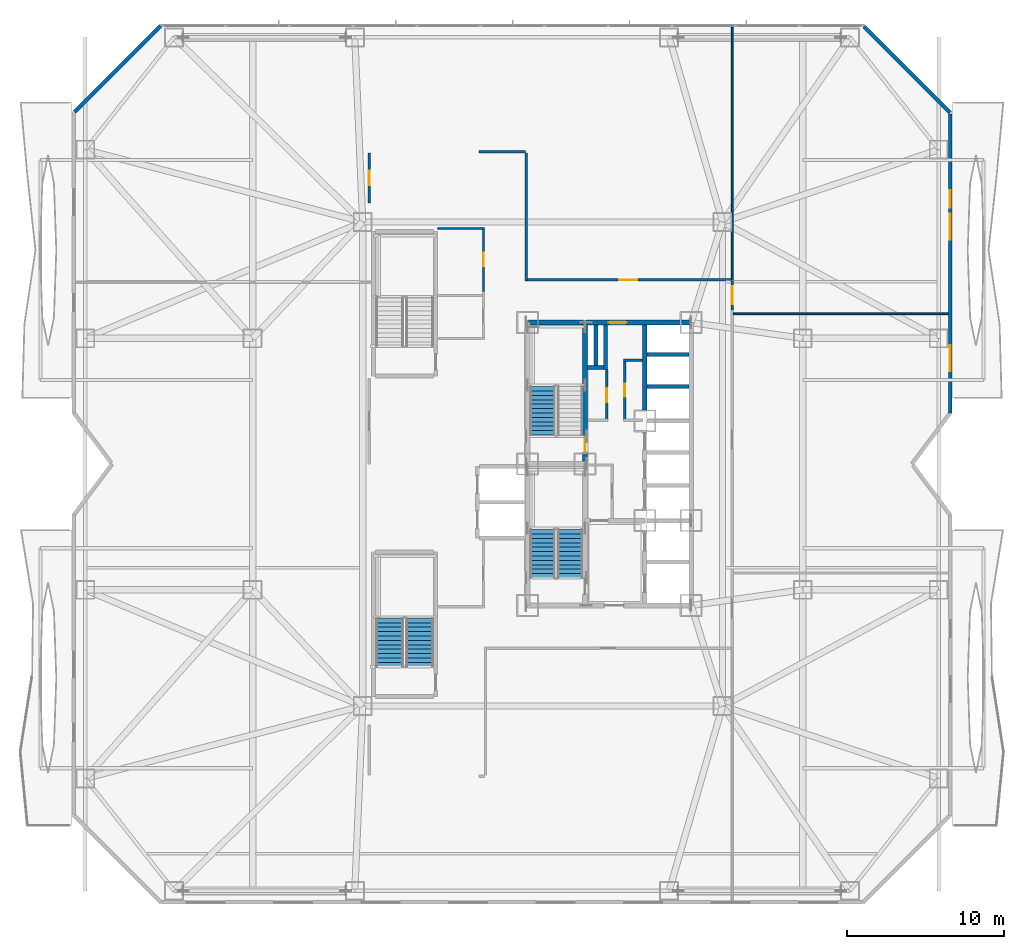
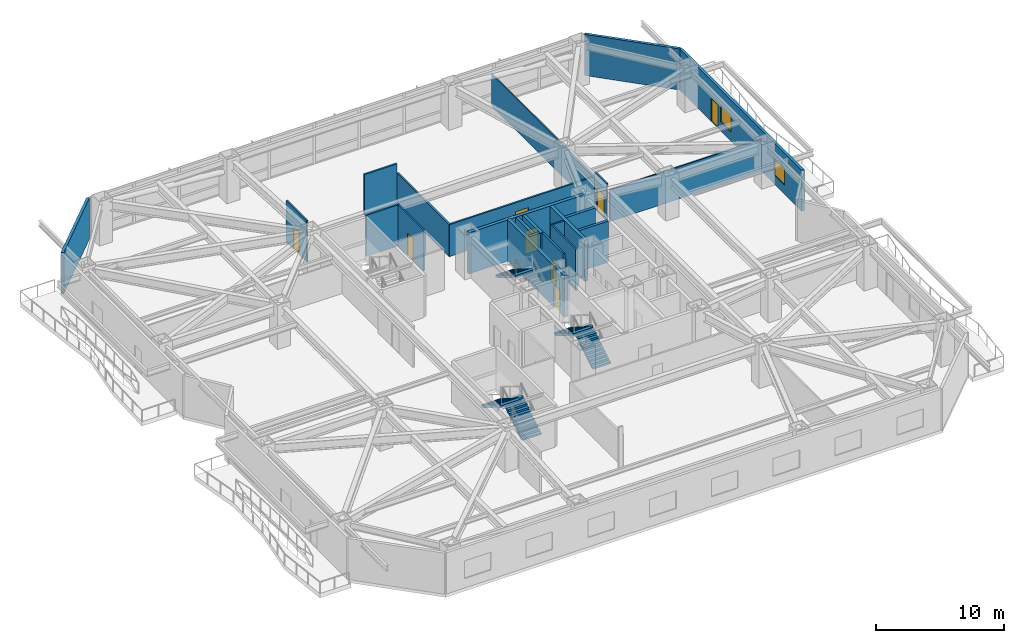
# One storey, part 18 of 25: 23 walls, 9 doors, 5 stair flights, 2 windows, 11 openings, 3 elements without a shape of their own.
"""IFC4 building model written with IfcOpenShell, lengths in metres."""

from ifc_helpers import new_model, si_unit, direction, frame, frame_2d, origin, place, context, subcontext, project, spatial, polyline, rectangle, outline, extrude, material, layer, layer_set, type_object, element, fill, aggregate, save


model = new_model("IFC4")

# Units and contexts
model_context = context("Model", 3, precision=1e-05, world=origin(), true_north=direction((0.0, 1.0)))
body_context = subcontext(model_context, "Body", "Model", "MODEL_VIEW")
ifc_project = project(units=[si_unit("LENGTHUNIT", "METRE"), si_unit("AREAUNIT", "SQUARE_METRE"), si_unit("VOLUMEUNIT", "CUBIC_METRE"), si_unit("PLANEANGLEUNIT", "RADIAN"), si_unit("MASSUNIT", "GRAM", prefix="KILO")], contexts=[model_context])

# Site, building, storey
site_placement = place(None, origin())
site = spatial("IfcSite", under=ifc_project, at=site_placement, CompositionType="ELEMENT")
building_placement = place(site_placement, origin())
building = spatial("IfcBuilding", under=site, at=building_placement, Name="Khamvora Tower", CompositionType="ELEMENT")
storey_placement = place(building_placement, frame((0.0, 0.0, 24.60009765625)))
storey = spatial("IfcBuildingStorey", under=building, at=storey_placement, Name="L05", CompositionType="ELEMENT", Elevation=24.60009765625)

# Wall, opening, door
ifc_material_1 = material(Name="Concrete C50/60", Category="concrete")
ifc_layer_1 = layer(ifc_material_1, 0.300048828125)
ifc_layer_set_1 = layer_set([ifc_layer_1], Name="Concrete C50/60")
wall_type_1 = type_object("IfcWallType", Name="WAL-CORE-300", PredefinedType="SHEAR", material=ifc_layer_set_1)
wall_1_placement = place(storey_placement, frame((29.0, 37.0, 0.0), z_axis=(0.0, 0.0, 1.0), x_axis=(1.0, 0.0, 0.0)))
wall_1 = element("IfcWall", 1, at=wall_1_placement, inside=storey, type_object=wall_type_1, Name="L05 central core north wall", PredefinedType="SHEAR", context=body_context, shape_type="SweptSolid", body=[
    extrude(rectangle(XDim=10.39990234375, YDim=0.300048828125, at=frame_2d((5.199951171875, 0.0))), origin(), (0.0, 0.0, 1.0), 3.919921875),
])
opening_1_placement = place(wall_1_placement, frame((5.139892578125, 0.0, 0.0)))
opening_1 = element("IfcOpeningElement", 2, at=opening_1_placement, cuts=wall_1, Name="Opening D-SC1", PredefinedType="OPENING", context=body_context, shape_type="SweptSolid", body=[
    extrude(rectangle(XDim=1.14990234375, YDim=2.199951171875, at=frame_2d((0.574951171875, 1.10009765625))), frame((0.0, 0.159912109375, 0.0), z_axis=(0.0, -1.0, 0.0), x_axis=(1.0, 0.0, 0.0)), (0.0, 0.0, 1.0), 0.320068359375),
])
ifc_material_2 = material(Name="Powder-Coated Steel and Hardwood Leaf", Category="steel")
door_type_1 = type_object("IfcDoorType", Name="DOR-SCHL-1150", OperationType="NOTDEFINED", PredefinedType="DOOR", material=ifc_material_2)
door_1_placement = place(opening_1_placement, origin())
door_1 = element("IfcDoor", 3, at=door_1_placement, inside=storey, type_object=door_type_1, Name="L05 north core lobby to corridor fire door", OperationType="SINGLE_SWING_LEFT", OverallHeight=2.199951171875, OverallWidth=1.14990234375, PredefinedType="DOOR", context=body_context, shape_type="SweptSolid", body=[
    extrude(rectangle(XDim=1.14990234375, YDim=2.199951171875, at=frame_2d((0.574951171875, 1.10009765625))), frame((0.0, 0.02490234375, 0.0), z_axis=(0.0, -1.0, 0.0), x_axis=(1.0, 0.0, 0.0)), (0.0, 0.0, 1.0), 0.050048828125),
])
fill(opening_1, door_1)

wall_2_placement = place(storey_placement, frame((32.64990234375, 28.0, 0.0), z_axis=(0.0, 0.0, 1.0), x_axis=(0.0, 1.0, 0.0)))
wall_2 = element("IfcWall", 4, at=wall_2_placement, inside=storey, type_object=wall_type_1, Name="L05 central core stair north spine wall", PredefinedType="SHEAR", context=body_context, shape_type="SweptSolid", body=[
    extrude(rectangle(XDim=9.0, YDim=0.300048828125, at=frame_2d((4.5, 0.0))), origin(), (0.0, 0.0, 1.0), 3.919921875),
])
opening_2_placement = place(wall_2_placement, frame((0.719970703125, 0.0, 0.0)))
opening_2 = element("IfcOpeningElement", 5, at=opening_2_placement, cuts=wall_2, Name="Opening D-ST1", PredefinedType="OPENING", context=body_context, shape_type="SweptSolid", body=[
    extrude(rectangle(XDim=1.0, YDim=2.14990234375, at=frame_2d((0.5, 1.074951171875))), frame((0.0, 0.159912109375, 0.0), z_axis=(0.0, -1.0, 0.0), x_axis=(1.0, 0.0, 0.0)), (0.0, 0.0, 1.0), 0.320068359375),
])
door_type_2 = type_object("IfcDoorType", Name="DOR-STAIR-1000", OperationType="NOTDEFINED", PredefinedType="DOOR", material=ifc_material_2)
door_2_placement = place(opening_2_placement, origin())
door_2 = element("IfcDoor", 6, at=door_2_placement, inside=storey, type_object=door_type_2, Name="L05 exit stair ST-02 fire door", OperationType="SINGLE_SWING_RIGHT", OverallHeight=2.14990234375, OverallWidth=1.0, PredefinedType="DOOR", context=body_context, shape_type="SweptSolid", body=[
    extrude(rectangle(XDim=1.0, YDim=2.14990234375, at=frame_2d((0.5, 1.074951171875))), frame((0.0, 0.02490234375, 0.0), z_axis=(0.0, -1.0, 0.0), x_axis=(1.0, 0.0, 0.0)), (0.0, 0.0, 1.0), 0.050048828125),
])
fill(opening_2, door_2)

# Walls
wall_3_placement = place(storey_placement, frame((36.449951171875, 31.449951171875, 0.0), z_axis=(0.0, 0.0, 1.0), x_axis=(0.0, 1.0, 0.0)))
element("IfcWall", 7, at=wall_3_placement, inside=storey, type_object=wall_type_1, Name="L05 central core lift bank north wall", PredefinedType="SHEAR", context=body_context, shape_type="SweptSolid", body=[
    extrude(rectangle(XDim=5.39599609375, YDim=0.300048828125, at=frame_2d((2.697998046875, 0.0))), origin(), (0.0, 0.0, 1.0), 3.919921875),
])
ifc_material_3 = material(Name="Fire-Rated Drywall and Steel Stud", Category="steel")
ifc_layer_2 = layer(ifc_material_3, 0.14990234375)
ifc_layer_set_2 = layer_set([ifc_layer_2], Name="Fire-Rated Drywall and Steel Stud")
wall_type_2 = type_object("IfcWallType", Name="WAL-CORR-150", PredefinedType="STANDARD", material=ifc_layer_set_2)
wall_4_placement = place(storey_placement, frame((36.305908203125, 34.614990234375, 0.0), z_axis=(0.0, 0.0, 1.0), x_axis=(-1.0, 0.0, 0.0)))
element("IfcWall", 8, at=wall_4_placement, inside=storey, type_object=wall_type_2, Name="L05 interior partition wall 001", PredefinedType="STANDARD", context=body_context, shape_type="SweptSolid", body=[
    extrude(rectangle(XDim=1.205810546875, YDim=0.14990234375, at=frame_2d((0.60302734375, 0.0))), origin(), (0.0, 0.0, 1.0), 3.919921875),
])

# Wall, opening, door
wall_5_placement = place(storey_placement, frame((35.1650390625, 34.677978515625, 0.0), z_axis=(0.0, 0.0, 1.0), x_axis=(0.0, -1.0, 0.0)))
wall_5 = element("IfcWall", 9, at=wall_5_placement, inside=storey, type_object=wall_type_2, Name="L05 interior partition wall 002", PredefinedType="STANDARD", context=body_context, shape_type="SweptSolid", body=[
    extrude(rectangle(XDim=3.9580078125, YDim=0.14990234375, at=frame_2d((1.97900390625, 0.0))), origin(), (0.0, 0.0, 1.0), 3.919921875),
])
opening_3_placement = place(wall_5_placement, frame((1.553955078125, 0.0, 0.0)))
opening_3 = element("IfcOpeningElement", 10, at=opening_3_placement, cuts=wall_5, Name="Opening D-WC1", PredefinedType="OPENING", context=body_context, shape_type="SweptSolid", body=[
    extrude(rectangle(XDim=0.85009765625, YDim=2.10009765625, at=frame_2d((0.425048828125, 1.050048828125))), frame((0.0, 0.0849609375, 0.0), z_axis=(0.0, -1.0, 0.0), x_axis=(1.0, 0.0, 0.0)), (0.0, 0.0, 1.0), 0.169921875),
])
door_type_3 = type_object("IfcDoorType", Name="DOR-WET-850", OperationType="NOTDEFINED", PredefinedType="DOOR", material=ifc_material_2)
door_3_placement = place(opening_3_placement, origin())
door_3 = element("IfcDoor", 11, at=door_3_placement, inside=storey, type_object=door_type_3, Name="L05 interior door PLL-CS1", OperationType="SINGLE_SWING_RIGHT", OverallHeight=2.10009765625, OverallWidth=0.85009765625, PredefinedType="DOOR", context=body_context, shape_type="SweptSolid", body=[
    extrude(rectangle(XDim=0.85009765625, YDim=2.10009765625, at=frame_2d((0.425048828125, 1.050048828125))), frame((0.0, 0.02490234375, 0.0), z_axis=(0.0, -1.0, 0.0), x_axis=(1.0, 0.0, 0.0)), (0.0, 0.0, 1.0), 0.050048828125),
])
fill(opening_3, door_3)

wall_6_placement = place(storey_placement, frame((34.034912109375, 30.719970703125, 0.0), z_axis=(0.0, 0.0, 1.0), x_axis=(0.0, 1.0, 0.0)))
wall_6 = element("IfcWall", 12, at=wall_6_placement, inside=storey, type_object=wall_type_2, Name="L05 interior partition wall 005", PredefinedType="STANDARD", context=body_context, shape_type="SweptSolid", body=[
    extrude(rectangle(XDim=3.300048828125, YDim=0.14990234375, at=frame_2d((1.64990234375, 0.0))), origin(), (0.0, 0.0, 1.0), 3.919921875),
])
opening_4_placement = place(wall_6_placement, frame((1.199951171875, 0.0, 0.0)))
opening_4 = element("IfcOpeningElement", 13, at=opening_4_placement, cuts=wall_6, Name="Opening D-RM1", PredefinedType="OPENING", context=body_context, shape_type="SweptSolid", body=[
    extrude(rectangle(XDim=0.89990234375, YDim=2.10009765625, at=frame_2d((0.449951171875, 1.050048828125))), frame((0.0, 0.0849609375, 0.0), z_axis=(0.0, -1.0, 0.0), x_axis=(1.0, 0.0, 0.0)), (0.0, 0.0, 1.0), 0.169921875),
])
door_type_4 = type_object("IfcDoorType", Name="DOR-ROOM-900", OperationType="NOTDEFINED", PredefinedType="DOOR", material=ifc_material_2)
door_4_placement = place(opening_4_placement, origin())
door_4 = element("IfcDoor", 14, at=door_4_placement, inside=storey, type_object=door_type_4, Name="L05 interior door PLL-CS2", OperationType="SINGLE_SWING_LEFT", OverallHeight=2.10009765625, OverallWidth=0.89990234375, PredefinedType="DOOR", context=body_context, shape_type="SweptSolid", body=[
    extrude(rectangle(XDim=0.89990234375, YDim=2.10009765625, at=frame_2d((0.449951171875, 1.050048828125))), frame((0.0, 0.02490234375, 0.0), z_axis=(0.0, -1.0, 0.0), x_axis=(1.0, 0.0, 0.0)), (0.0, 0.0, 1.0), 0.050048828125),
])
fill(opening_4, door_4)

wall_7_placement = place(storey_placement, frame((26.18505859375, 38.964111328125, 0.0), z_axis=(0.0, 0.0, 1.0), x_axis=(0.0, 1.0, 0.0)))
wall_7 = element("IfcWall", 15, at=wall_7_placement, inside=storey, type_object=wall_type_2, Name="L05 interior partition wall 012", PredefinedType="STANDARD", context=body_context, shape_type="SweptSolid", body=[
    extrude(rectangle(XDim=4.0859375, YDim=0.14990234375, at=frame_2d((2.04296875, 0.0))), origin(), (0.0, 0.0, 1.0), 3.919921875),
])
opening_5_placement = place(wall_7_placement, frame((1.617919921875, 0.0, 0.0)))
opening_5 = element("IfcOpeningElement", 16, at=opening_5_placement, cuts=wall_7, Name="Opening D-WC1", PredefinedType="OPENING", context=body_context, shape_type="SweptSolid", body=[
    extrude(rectangle(XDim=0.85009765625, YDim=2.10009765625, at=frame_2d((0.425048828125, 1.050048828125))), frame((0.0, 0.0849609375, 0.0), z_axis=(0.0, -1.0, 0.0), x_axis=(1.0, 0.0, 0.0)), (0.0, 0.0, 1.0), 0.169921875),
])
door_5_placement = place(opening_5_placement, origin())
door_5 = element("IfcDoor", 17, at=door_5_placement, inside=storey, type_object=door_type_3, Name="L05 interior door SCOR-WCF", OperationType="SINGLE_SWING_LEFT", OverallHeight=2.10009765625, OverallWidth=0.85009765625, PredefinedType="DOOR", context=body_context, shape_type="SweptSolid", body=[
    extrude(rectangle(XDim=0.85009765625, YDim=2.10009765625, at=frame_2d((0.425048828125, 1.050048828125))), frame((0.0, 0.02490234375, 0.0), z_axis=(0.0, -1.0, 0.0), x_axis=(1.0, 0.0, 0.0)), (0.0, 0.0, 1.0), 0.050048828125),
])
fill(opening_5, door_5)

# Wall
wall_8_placement = place(storey_placement, frame((26.25, 42.985107421875, 0.0), z_axis=(0.0, 0.0, 1.0), x_axis=(-1.0, 0.0, 0.0)))
element("IfcWall", 18, at=wall_8_placement, inside=storey, type_object=wall_type_2, Name="L05 interior partition wall 013", PredefinedType="STANDARD", context=body_context, shape_type="SweptSolid", body=[
    extrude(rectangle(XDim=3.0, YDim=0.14990234375, at=frame_2d((1.5, 0.0))), origin(), (0.0, 0.0, 1.0), 3.919921875),
])

# Wall, opening, door
wall_9_placement = place(storey_placement, frame((18.9150390625, 44.60009765625, 0.0), z_axis=(0.0, 0.0, 1.0), x_axis=(0.0, 1.0, 0.0)))
wall_9 = element("IfcWall", 19, at=wall_9_placement, inside=storey, type_object=wall_type_2, Name="L05 interior partition wall 016", PredefinedType="STANDARD", context=body_context, shape_type="SweptSolid", body=[
    extrude(rectangle(XDim=3.199951171875, YDim=0.14990234375, at=frame_2d((1.60009765625, 0.0))), origin(), (0.0, 0.0, 1.0), 3.919921875),
])
opening_6_placement = place(wall_9_placement, frame((1.14990234375, 0.0, 0.0)))
opening_6 = element("IfcOpeningElement", 20, at=opening_6_placement, cuts=wall_9, Name="Opening D-RM1", PredefinedType="OPENING", context=body_context, shape_type="SweptSolid", body=[
    extrude(rectangle(XDim=0.89990234375, YDim=2.10009765625, at=frame_2d((0.449951171875, 1.050048828125))), frame((0.0, 0.0849609375, 0.0), z_axis=(0.0, -1.0, 0.0), x_axis=(1.0, 0.0, 0.0)), (0.0, 0.0, 1.0), 0.169921875),
])
door_6_placement = place(opening_6_placement, origin())
door_6 = element("IfcDoor", 21, at=door_6_placement, inside=storey, type_object=door_type_4, Name="L05 interior door SCOR-LCK", OperationType="SINGLE_SWING_LEFT", OverallHeight=2.10009765625, OverallWidth=0.89990234375, PredefinedType="DOOR", context=body_context, shape_type="SweptSolid", body=[
    extrude(rectangle(XDim=0.89990234375, YDim=2.10009765625, at=frame_2d((0.449951171875, 1.050048828125))), frame((0.0, 0.02490234375, 0.0), z_axis=(0.0, -1.0, 0.0), x_axis=(1.0, 0.0, 0.0)), (0.0, 0.0, 1.0), 0.050048828125),
])
fill(opening_6, door_6)

wall_10_placement = place(storey_placement, frame((42.014892578125, 39.64990234375, 0.0), z_axis=(0.0, 0.0, 1.0), x_axis=(0.0, -1.0, 0.0)))
wall_10 = element("IfcWall", 22, at=wall_10_placement, inside=storey, type_object=wall_type_2, Name="L05 interior partition wall 019", PredefinedType="STANDARD", context=body_context, shape_type="SweptSolid", body=[
    extrude(rectangle(XDim=1.8359375, YDim=0.14990234375, at=frame_2d((0.91796875, 0.0))), origin(), (0.0, 0.0, 1.0), 3.5029296875),
])
opening_7_placement = place(wall_10_placement, frame((0.343017578125, 0.0, 0.0)))
opening_7 = element("IfcOpeningElement", 23, at=opening_7_placement, cuts=wall_10, Name="Opening D-SC1", PredefinedType="OPENING", context=body_context, shape_type="SweptSolid", body=[
    extrude(rectangle(XDim=1.14990234375, YDim=2.199951171875, at=frame_2d((0.574951171875, 1.10009765625))), frame((0.0, 0.0849609375, 0.0), z_axis=(0.0, -1.0, 0.0), x_axis=(1.0, 0.0, 0.0)), (0.0, 0.0, 1.0), 0.169921875),
])
door_7_placement = place(opening_7_placement, origin())
door_7 = element("IfcDoor", 24, at=door_7_placement, inside=storey, type_object=door_type_1, Name="L05 interior door SCOR-CL3", OperationType="SINGLE_SWING_RIGHT", OverallHeight=2.199951171875, OverallWidth=1.14990234375, PredefinedType="DOOR", context=body_context, shape_type="SweptSolid", body=[
    extrude(rectangle(XDim=1.14990234375, YDim=2.199951171875, at=frame_2d((0.574951171875, 1.10009765625))), frame((0.0, 0.02490234375, 0.0), z_axis=(0.0, -1.0, 0.0), x_axis=(1.0, 0.0, 0.0)), (0.0, 0.0, 1.0), 0.050048828125),
])
fill(opening_7, door_7)

# Walls
wall_11_placement = place(storey_placement, frame((25.910888671875, 47.864990234375, 0.0), z_axis=(0.0, 0.0, 1.0), x_axis=(1.0, 0.0, 0.0)))
element("IfcWall", 25, at=wall_11_placement, inside=storey, type_object=wall_type_2, Name="L05 interior partition wall 023", PredefinedType="STANDARD", context=body_context, shape_type="SweptSolid", body=[
    extrude(rectangle(XDim=2.939208984375, YDim=0.14990234375, at=frame_2d((1.4697265625, 0.0))), origin(), (0.0, 0.0, 1.0), 3.919921875),
])
wall_12_placement = place(storey_placement, frame((28.9150390625, 47.800048828125, 0.0), z_axis=(0.0, 0.0, 1.0), x_axis=(0.0, -1.0, 0.0)))
element("IfcWall", 26, at=wall_12_placement, inside=storey, type_object=wall_type_2, Name="L05 interior partition wall 024", PredefinedType="STANDARD", context=body_context, shape_type="SweptSolid", body=[
    extrude(rectangle(XDim=8.150146484375, YDim=0.14990234375, at=frame_2d((4.0751953125, 0.0))), origin(), (0.0, 0.0, 1.0), 3.054931640625),
])

# Wall, opening, door
wall_13_placement = place(storey_placement, frame((28.85205078125, 39.715087890625, 0.0), z_axis=(0.0, 0.0, 1.0), x_axis=(1.0, 0.0, 0.0)))
wall_13 = element("IfcWall", 27, at=wall_13_placement, inside=storey, type_object=wall_type_2, Name="L05 interior partition wall 025", PredefinedType="STANDARD", context=body_context, shape_type="SweptSolid", body=[
    extrude(rectangle(XDim=13.097900390625, YDim=0.14990234375, at=frame_2d((6.548828125, 0.0))), origin(), (0.0, 0.0, 1.0), 3.054931640625),
])
opening_8_placement = place(wall_13_placement, frame((5.97412109375, 0.0, 0.0)))
opening_8 = element("IfcOpeningElement", 28, at=opening_8_placement, cuts=wall_13, Name="Opening D-SC1", PredefinedType="OPENING", context=body_context, shape_type="SweptSolid", body=[
    extrude(rectangle(XDim=1.14990234375, YDim=2.199951171875, at=frame_2d((0.574951171875, 1.10009765625))), frame((0.0, 0.0849609375, 0.0), z_axis=(0.0, -1.0, 0.0), x_axis=(1.0, 0.0, 0.0)), (0.0, 0.0, 1.0), 0.169921875),
])
door_8_placement = place(opening_8_placement, origin())
door_8 = element("IfcDoor", 29, at=door_8_placement, inside=storey, type_object=door_type_1, Name="L05 interior door SCOR-FIT", OperationType="SINGLE_SWING_RIGHT", OverallHeight=2.199951171875, OverallWidth=1.14990234375, PredefinedType="DOOR", context=body_context, shape_type="SweptSolid", body=[
    extrude(rectangle(XDim=1.14990234375, YDim=2.199951171875, at=frame_2d((0.574951171875, 1.10009765625))), frame((0.0, 0.02490234375, 0.0), z_axis=(0.0, -1.0, 0.0), x_axis=(1.0, 0.0, 0.0)), (0.0, 0.0, 1.0), 0.050048828125),
])
fill(opening_8, door_8)

# Walls
ifc_material_4 = material(Name="Precast concrete C40/50", Category="concrete")
ifc_layer_3 = layer(ifc_material_4, 0.239990234375)
ifc_layer_set_3 = layer_set([ifc_layer_3], Name="Precast concrete C40/50")
wall_type_3 = type_object("IfcWallType", Name="WAL-EXT-240", PredefinedType="STANDARD", material=ifc_layer_set_3)
for number, where, z_axis, x_axis, name in (
    (30, (0.175048828125, 50.405029296875, 0.0), (0.0, 0.0, 1.0), (0.707106781187, 0.707106781187, 0.0), "L05 exterior facade wall 06.1"),
    (31, (50.405029296875, 55.824951171875, 0.0), (0.0, 0.0, 1.0), (0.707106781187, -0.707106781187, 0.0), "L05 exterior facade wall 08.1"),
):
    element("IfcWall", number, at=place(storey_placement, frame(where, z_axis=z_axis, x_axis=x_axis)), inside=storey, type_object=wall_type_3, Name=name, PredefinedType="STANDARD", context=body_context, shape_type="SweptSolid", body=[
        extrude(rectangle(XDim=7.74267578125, YDim=0.239990234375, at=frame_2d((3.871337890625, 0.0))), origin(), (0.0, 0.0, 1.0), 3.919921875),
    ])

# Wall, openings, door, windows
wall_14_placement = place(storey_placement, frame((55.8798828125, 50.27197265625, 0.0), z_axis=(0.0, 0.0, 1.0), x_axis=(0.0, -1.0, 0.0)))
wall_14 = element("IfcWall", 32, at=wall_14_placement, inside=storey, type_object=wall_type_3, Name="L05 exterior facade wall 09.1", PredefinedType="STANDARD", context=body_context, shape_type="SweptSolid", body=[
    extrude(rectangle(XDim=19.031982421875, YDim=0.239990234375, at=frame_2d((9.51611328125, 0.0))), origin(), (0.0, 0.0, 1.0), 3.919921875),
])
opening_9_placement = place(wall_14_placement, frame((4.864990234375, 0.0, 0.0)))
opening_9 = element("IfcOpeningElement", 33, at=opening_9_placement, cuts=wall_14, Name="Opening BD-01", PredefinedType="OPENING", context=body_context, shape_type="SweptSolid", body=[
    extrude(rectangle(XDim=1.10009765625, YDim=2.199951171875, at=frame_2d((0.550048828125, 1.10009765625))), frame((0.0, 0.1298828125, 0.0), z_axis=(0.0, -1.0, 0.0), x_axis=(1.0, 0.0, 0.0)), (0.0, 0.0, 1.0), 0.260009765625),
])
opening_10_placement = place(wall_14_placement, frame((14.72705078125, 0.0, 0.85009765625)))
opening_10 = element("IfcOpeningElement", 34, at=opening_10_placement, cuts=wall_14, Name="Opening WN-06", PredefinedType="OPENING", context=body_context, shape_type="SweptSolid", body=[
    extrude(rectangle(XDim=1.64990234375, YDim=1.550048828125, at=frame_2d((0.824951171875, 0.77490234375))), frame((0.0, 0.1298828125, 0.0), z_axis=(0.0, -1.0, 0.0), x_axis=(1.0, 0.0, 0.0)), (0.0, 0.0, 1.0), 0.260009765625),
])
opening_11_placement = place(wall_14_placement, frame((6.341064453125, 0.0, 0.85009765625)))
opening_11 = element("IfcOpeningElement", 35, at=opening_11_placement, cuts=wall_14, Name="Opening WN-06", PredefinedType="OPENING", context=body_context, shape_type="SweptSolid", body=[
    extrude(rectangle(XDim=1.64990234375, YDim=1.550048828125, at=frame_2d((0.824951171875, 0.77490234375))), frame((0.0, 0.1298828125, 0.0), z_axis=(0.0, -1.0, 0.0), x_axis=(1.0, 0.0, 0.0)), (0.0, 0.0, 1.0), 0.260009765625),
])
ifc_material_5 = material(Name="Anodised Aluminium and Laminated Safety Glass", Category="aluminium")
door_type_5 = type_object("IfcDoorType", Name="DOR-BAL-1100", OperationType="NOTDEFINED", PredefinedType="DOOR", material=ifc_material_5)
door_9_placement = place(opening_9_placement, origin())
door_9 = element("IfcDoor", 36, at=door_9_placement, inside=storey, type_object=door_type_5, Name="L05 lens gallery balcony door EL2", OperationType="SLIDING_TO_LEFT", OverallHeight=2.199951171875, OverallWidth=1.10009765625, PredefinedType="DOOR", context=body_context, shape_type="SweptSolid", body=[
    extrude(rectangle(XDim=1.10009765625, YDim=2.199951171875, at=frame_2d((0.550048828125, 1.10009765625))), frame((0.0, 0.02490234375, 0.0), z_axis=(0.0, -1.0, 0.0), x_axis=(1.0, 0.0, 0.0)), (0.0, 0.0, 1.0), 0.050048828125),
])
fill(opening_9, door_9)
ifc_material_6 = material(Name="Low-E Laminated Double Glazing", Category="glass")
window_type = type_object("IfcWindowType", Name="WIN-VIS-1650x1550", PartitioningType="SINGLE_PANEL", PredefinedType="WINDOW", material=ifc_material_6)
window_1_placement = place(opening_10_placement, origin())
window_1 = element("IfcWindow", 37, at=window_1_placement, inside=storey, type_object=window_type, Name="L05 vision window 09.1.01", OverallHeight=1.550048828125, OverallWidth=1.64990234375, PartitioningType="SINGLE_PANEL", PredefinedType="WINDOW", context=body_context, shape_type="SweptSolid", body=[
    extrude(rectangle(XDim=1.64990234375, YDim=1.550048828125, at=frame_2d((0.824951171875, 0.77490234375))), frame((0.0, 0.030029296875, 0.0), z_axis=(0.0, -1.0, 0.0), x_axis=(1.0, 0.0, 0.0)), (0.0, 0.0, 1.0), 0.06005859375),
])
fill(opening_10, window_1)
window_2_placement = place(opening_11_placement, origin())
window_2 = element("IfcWindow", 38, at=window_2_placement, inside=storey, type_object=window_type, Name="L05 vision window 09.1.02", OverallHeight=1.550048828125, OverallWidth=1.64990234375, PartitioningType="SINGLE_PANEL", PredefinedType="WINDOW", context=body_context, shape_type="SweptSolid", body=[
    extrude(rectangle(XDim=1.64990234375, YDim=1.550048828125, at=frame_2d((0.824951171875, 0.77490234375))), frame((0.0, 0.030029296875, 0.0), z_axis=(0.0, -1.0, 0.0), x_axis=(1.0, 0.0, 0.0)), (0.0, 0.0, 1.0), 0.06005859375),
])
fill(opening_11, window_2)

# Walls
ifc_material_7 = material(Name="Gypsum Plasterboard Partition", Category="gypsum")
ifc_layer_4 = layer(ifc_material_7, 0.1201171875)
ifc_layer_set_4 = layer_set([ifc_layer_4], Name="Gypsum Plasterboard Partition")
wall_type_4 = type_object("IfcWallType", Name="WAL-PART-120", PredefinedType="PARTITIONING", material=ifc_layer_set_4)
wall_15_placement = place(storey_placement, frame((42.08203125, 37.56494140625, 0.0), z_axis=(0.0, 0.0, 1.0), x_axis=(1.0, 0.0, 0.0)))
element("IfcWall", 39, at=wall_15_placement, inside=storey, type_object=wall_type_4, Name="L05 interior partition wall 030", PredefinedType="PARTITIONING", context=body_context, shape_type="SweptSolid", body=[
    extrude(rectangle(XDim=13.68603515625, YDim=0.1201171875, at=frame_2d((6.843017578125, 0.0))), origin(), (0.0, 0.0, 1.0), 3.054931640625),
])
wall_16_placement = place(storey_placement, frame((42.014892578125, 39.64990234375, 0.0), z_axis=(0.0, 0.0, 1.0), x_axis=(0.0, 1.0, 0.0)))
element("IfcWall", 40, at=wall_16_placement, inside=storey, type_object=wall_type_4, Name="L05 interior partition wall 031", PredefinedType="PARTITIONING", context=body_context, shape_type="SweptSolid", body=[
    extrude(rectangle(XDim=16.128173828125, YDim=0.1201171875, at=frame_2d((8.06396484375, 0.0))), origin(), (0.0, 0.0, 1.0), 3.054931640625),
])
ifc_material_8 = material(Name="Concrete C40/50", Category="concrete")
ifc_layer_5 = layer(ifc_material_8, 0.25)
ifc_layer_set_5 = layer_set([ifc_layer_5], Name="Concrete C40/50")
wall_type_5 = type_object("IfcWallType", Name="WAL-PODS-250", PredefinedType="SHEAR", material=ifc_layer_set_5)
for number, where, z_axis, x_axis, name in (
    (41, (36.60400390625, 32.925048828125, 0.0), (0.0, 0.0, 1.0), (1.0, 0.0, 0.0), "L05 lift shaft divider wall PH-01"),
    (42, (36.60400390625, 34.97509765625, 0.0), (0.0, 0.0, 1.0), (1.0, 0.0, 0.0), "L05 lift shaft divider wall PH-02"),
):
    element("IfcWall", number, at=place(storey_placement, frame(where, z_axis=z_axis, x_axis=x_axis)), inside=storey, type_object=wall_type_5, Name=name, PredefinedType="SHEAR", context=body_context, shape_type="SweptSolid", body=[
        extrude(rectangle(XDim=2.64208984375, YDim=0.25, at=frame_2d((1.321044921875, 0.0))), origin(), (0.0, 0.0, 1.0), 3.919921875),
    ])
wall_17_placement = place(storey_placement, frame((33.955078125, 34.02490234375, 0.0), z_axis=(0.0, 0.0, 1.0), x_axis=(0.0, 1.0, 0.0)))
element("IfcWall", 43, at=wall_17_placement, inside=storey, type_object=wall_type_5, Name="L05 vertical MEP riser shaft east enclosure wall", PredefinedType="SHEAR", context=body_context, shape_type="SweptSolid", body=[
    extrude(rectangle(XDim=2.821044921875, YDim=0.25, at=frame_2d((1.41064453125, 0.0))), origin(), (0.0, 0.0, 1.0), 3.919921875),
])
wall_18_placement = place(storey_placement, frame((32.803955078125, 34.14990234375, 0.0), z_axis=(0.0, 0.0, 1.0), x_axis=(1.0, 0.0, 0.0)))
element("IfcWall", 44, at=wall_18_placement, inside=storey, type_object=wall_type_5, Name="L05 vertical MEP riser shaft south enclosure wall", PredefinedType="SHEAR", context=body_context, shape_type="SweptSolid", body=[
    extrude(rectangle(XDim=1.02197265625, YDim=0.25, at=frame_2d((0.510986328125, 0.0))), origin(), (0.0, 0.0, 1.0), 3.919921875),
])
wall_19_placement = place(storey_placement, frame((33.340087890625, 34.279052734375, 0.0), z_axis=(0.0, 0.0, 1.0), x_axis=(0.0, 1.0, 0.0)))
element("IfcWall", 45, at=wall_19_placement, inside=storey, type_object=wall_type_5, Name="L05 vertical MEP riser shaft divider enclosure wall", PredefinedType="SHEAR", context=body_context, shape_type="SweptSolid", body=[
    extrude(rectangle(XDim=2.56689453125, YDim=0.25, at=frame_2d((1.283447265625, 0.0))), origin(), (0.0, 0.0, 1.0), 3.919921875),
])

# Stair, stair flights
stair_type_1 = type_object("IfcStairType", Name="STR-ST-01", PredefinedType="HALF_TURN_STAIR", material=ifc_material_8)
stair_1_placement = place(storey_placement, origin())
stair_1 = element("IfcStair", 46, at=stair_1_placement, inside=storey, type_object=stair_type_1, Name="L05 South Tower Exit Stair ST-01", PredefinedType="HALF_TURN_STAIR")
stair_flight_type_1 = type_object("IfcStairFlightType", Name="STF-ST-01", PredefinedType="STRAIGHT", material=ifc_material_8)
stair_flight_1_placement = place(storey_placement, frame((31.699951171875, 20.75, 0.0), z_axis=(0.0, 0.0, 1.0), x_axis=(0.0, 1.0, 0.0)))
stair_flight_1 = element("IfcStairFlight", 47, at=stair_flight_1_placement, type_object=stair_flight_type_1, Name="ST-01 flight 1", NumberOfRisers=12, NumberOfTreads=11, PredefinedType="STRAIGHT", RiserHeight=0.175, TreadLength=0.28, context=body_context, shape_type="SweptSolid", body=[
    extrude(outline(polyline([(0.0, 0.0), (0.0, 0.175048828125), (0.280029296875, 0.175048828125), (0.280029296875, 0.35009765625), (0.56005859375, 0.35009765625), (0.56005859375, 0.52490234375), (0.840087890625, 0.52490234375), (0.840087890625, 0.699951171875), (1.1201171875, 0.699951171875), (1.1201171875, 0.875), (1.39990234375, 0.875), (1.39990234375, 1.050048828125), (1.679931640625, 1.050048828125), (1.679931640625, 1.22509765625), (1.9599609375, 1.22509765625), (1.9599609375, 1.39990234375), (2.239990234375, 1.39990234375), (2.239990234375, 1.574951171875), (2.52001953125, 1.574951171875), (2.52001953125, 1.75), (2.800048828125, 1.75), (2.800048828125, 1.925048828125), (3.080078125, 1.925048828125), (3.080078125, 2.10009765625), (3.080078125, 1.748291015625), (0.28271484375, 0.0), (0.0, 0.0)])), frame((0.0, 0.800048828125, 0.0), z_axis=(0.0, -1.0, 0.0), x_axis=(1.0, 0.0, 0.0)), (0.0, 0.0, 1.0), 1.60009765625),
])
stair_flight_2_placement = place(storey_placement, frame((29.949951171875, 23.830078125, 2.099853515625), z_axis=(0.0, 0.0, 1.0), x_axis=(0.0, -1.0, 0.0)))
stair_flight_2 = element("IfcStairFlight", 48, at=stair_flight_2_placement, type_object=stair_flight_type_1, Name="ST-01 flight 2", NumberOfRisers=12, NumberOfTreads=11, PredefinedType="STRAIGHT", RiserHeight=0.175, TreadLength=0.28, context=body_context, shape_type="SweptSolid", body=[
    extrude(outline(polyline([(0.0, 0.0), (0.0, 0.175048828125), (0.280029296875, 0.175048828125), (0.280029296875, 0.35009765625), (0.56005859375, 0.35009765625), (0.56005859375, 0.52490234375), (0.840087890625, 0.52490234375), (0.840087890625, 0.699951171875), (1.1201171875, 0.699951171875), (1.1201171875, 0.875), (1.39990234375, 0.875), (1.39990234375, 1.050048828125), (1.679931640625, 1.050048828125), (1.679931640625, 1.22509765625), (1.9599609375, 1.22509765625), (1.9599609375, 1.39990234375), (2.239990234375, 1.39990234375), (2.239990234375, 1.574951171875), (2.52001953125, 1.574951171875), (2.52001953125, 1.75), (2.800048828125, 1.75), (2.800048828125, 1.925048828125), (3.080078125, 1.925048828125), (3.080078125, 2.10009765625), (3.080078125, 1.748291015625), (0.28271484375, 0.0), (0.0, 0.0)])), frame((0.0, 0.800048828125, 0.0), z_axis=(0.0, -1.0, 0.0), x_axis=(1.0, 0.0, 0.0)), (0.0, 0.0, 1.0), 1.60009765625),
])
aggregate(stair_1, [stair_flight_1, stair_flight_2])

# Stair, stair flight
stair_type_2 = type_object("IfcStairType", Name="STR-ST-02", PredefinedType="HALF_TURN_STAIR", material=ifc_material_8)
stair_2_placement = place(storey_placement, origin())
stair_2 = element("IfcStair", 49, at=stair_2_placement, inside=storey, type_object=stair_type_2, Name="L05 North Tower Exit Stair ST-02", PredefinedType="HALF_TURN_STAIR")
stair_flight_type_2 = type_object("IfcStairFlightType", Name="STF-ST-02", PredefinedType="STRAIGHT", material=ifc_material_8)
stair_flight_3_placement = place(storey_placement, frame((29.949951171875, 32.929931640625, 2.099853515625), z_axis=(0.0, 0.0, 1.0), x_axis=(0.0, -1.0, 0.0)))
stair_flight_3 = element("IfcStairFlight", 50, at=stair_flight_3_placement, type_object=stair_flight_type_2, Name="ST-02 flight 2", NumberOfRisers=12, NumberOfTreads=11, PredefinedType="STRAIGHT", RiserHeight=0.175, TreadLength=0.28, context=body_context, shape_type="SweptSolid", body=[
    extrude(outline(polyline([(0.0, 0.0), (0.0, 0.175048828125), (0.280029296875, 0.175048828125), (0.280029296875, 0.35009765625), (0.56005859375, 0.35009765625), (0.56005859375, 0.52490234375), (0.840087890625, 0.52490234375), (0.840087890625, 0.699951171875), (1.1201171875, 0.699951171875), (1.1201171875, 0.875), (1.39990234375, 0.875), (1.39990234375, 1.050048828125), (1.679931640625, 1.050048828125), (1.679931640625, 1.22509765625), (1.9599609375, 1.22509765625), (1.9599609375, 1.39990234375), (2.239990234375, 1.39990234375), (2.239990234375, 1.574951171875), (2.52001953125, 1.574951171875), (2.52001953125, 1.75), (2.800048828125, 1.75), (2.800048828125, 1.925048828125), (3.080078125, 1.925048828125), (3.080078125, 2.10009765625), (3.080078125, 1.748291015625), (0.28271484375, 0.0), (0.0, 0.0)])), frame((0.0, 0.800048828125, 0.0), z_axis=(0.0, -1.0, 0.0), x_axis=(1.0, 0.0, 0.0)), (0.0, 0.0, 1.0), 1.60009765625),
])
aggregate(stair_2, [stair_flight_3])

# Stair, stair flights
stair_type_3 = type_object("IfcStairType", Name="STR-ST-03", PredefinedType="HALF_TURN_STAIR", material=ifc_material_8)
stair_3_placement = place(storey_placement, origin())
stair_3 = element("IfcStair", 51, at=stair_3_placement, inside=storey, type_object=stair_type_3, Name="L05 South School Podium Stair ST-03", PredefinedType="HALF_TURN_STAIR")
stair_flight_type_3 = type_object("IfcStairFlightType", Name="STF-ST-03", PredefinedType="STRAIGHT", material=ifc_material_8)
stair_flight_4_placement = place(storey_placement, frame((22.125, 15.10009765625, 0.0), z_axis=(0.0, 0.0, 1.0), x_axis=(0.0, 1.0, 0.0)))
stair_flight_4 = element("IfcStairFlight", 52, at=stair_flight_4_placement, type_object=stair_flight_type_3, Name="ST-03 flight 1", NumberOfRisers=12, NumberOfTreads=11, PredefinedType="STRAIGHT", RiserHeight=0.175, TreadLength=0.28, context=body_context, shape_type="SweptSolid", body=[
    extrude(outline(polyline([(0.0, 0.0), (0.0, 0.175048828125), (0.280029296875, 0.175048828125), (0.280029296875, 0.35009765625), (0.56005859375, 0.35009765625), (0.56005859375, 0.52490234375), (0.840087890625, 0.52490234375), (0.840087890625, 0.699951171875), (1.1201171875, 0.699951171875), (1.1201171875, 0.875), (1.39990234375, 0.875), (1.39990234375, 1.050048828125), (1.679931640625, 1.050048828125), (1.679931640625, 1.22509765625), (1.9599609375, 1.22509765625), (1.9599609375, 1.39990234375), (2.239990234375, 1.39990234375), (2.239990234375, 1.574951171875), (2.52001953125, 1.574951171875), (2.52001953125, 1.75), (2.800048828125, 1.75), (2.800048828125, 1.925048828125), (3.080078125, 1.925048828125), (3.080078125, 2.10009765625), (3.080078125, 1.748291015625), (0.28271484375, 0.0), (0.0, 0.0)])), frame((0.0, 0.875, 0.0), z_axis=(0.0, -1.0, 0.0), x_axis=(1.0, 0.0, 0.0)), (0.0, 0.0, 1.0), 1.75),
])
stair_flight_5_placement = place(storey_placement, frame((20.22509765625, 18.179931640625, 2.099853515625), z_axis=(0.0, 0.0, 1.0), x_axis=(0.0, -1.0, 0.0)))
stair_flight_5 = element("IfcStairFlight", 53, at=stair_flight_5_placement, type_object=stair_flight_type_3, Name="ST-03 flight 2", NumberOfRisers=12, NumberOfTreads=11, PredefinedType="STRAIGHT", RiserHeight=0.175, TreadLength=0.28, context=body_context, shape_type="SweptSolid", body=[
    extrude(outline(polyline([(0.0, 0.0), (0.0, 0.175048828125), (0.280029296875, 0.175048828125), (0.280029296875, 0.35009765625), (0.56005859375, 0.35009765625), (0.56005859375, 0.52490234375), (0.840087890625, 0.52490234375), (0.840087890625, 0.699951171875), (1.1201171875, 0.699951171875), (1.1201171875, 0.875), (1.39990234375, 0.875), (1.39990234375, 1.050048828125), (1.679931640625, 1.050048828125), (1.679931640625, 1.22509765625), (1.9599609375, 1.22509765625), (1.9599609375, 1.39990234375), (2.239990234375, 1.39990234375), (2.239990234375, 1.574951171875), (2.52001953125, 1.574951171875), (2.52001953125, 1.75), (2.800048828125, 1.75), (2.800048828125, 1.925048828125), (3.080078125, 1.925048828125), (3.080078125, 2.10009765625), (3.080078125, 1.748291015625), (0.28271484375, 0.0), (0.0, 0.0)])), frame((0.0, 0.875, 0.0), z_axis=(0.0, -1.0, 0.0), x_axis=(1.0, 0.0, 0.0)), (0.0, 0.0, 1.0), 1.75),
])
aggregate(stair_3, [stair_flight_4, stair_flight_5])

save(model, "model.ifc")
